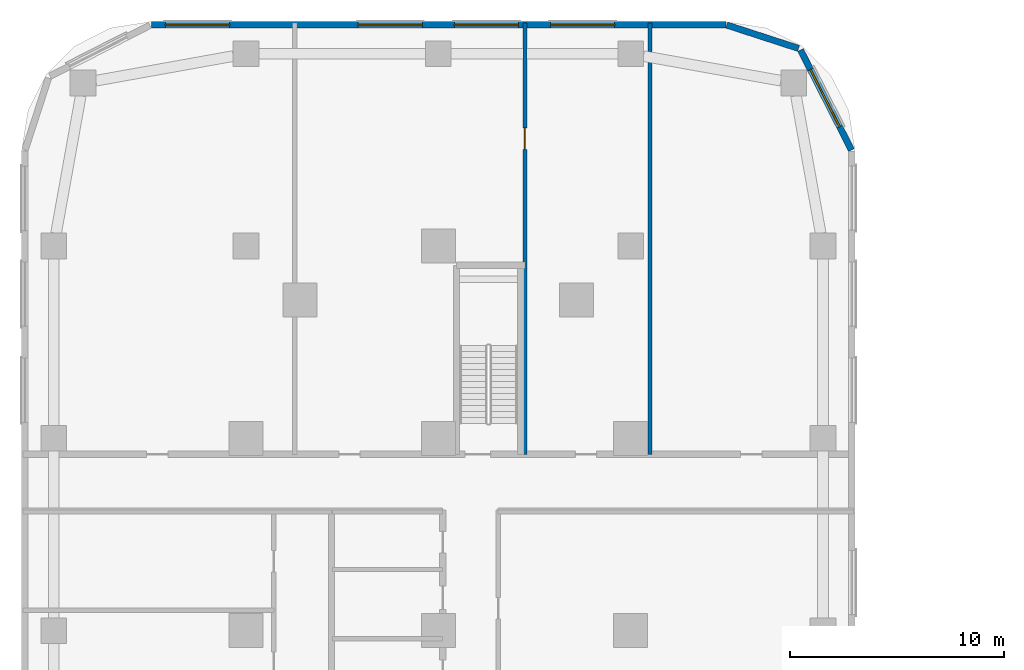
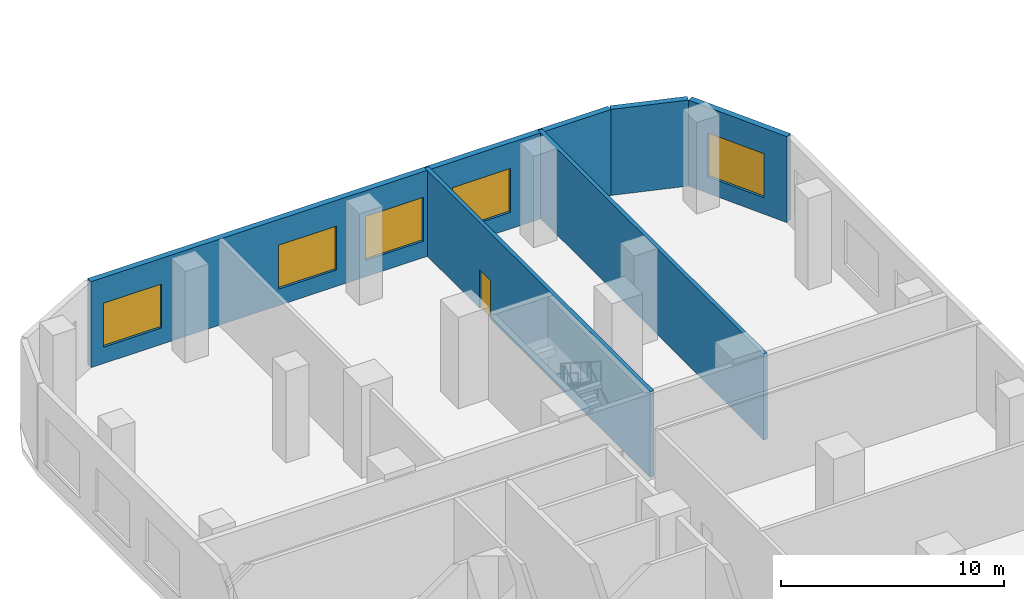
# One storey, part 15 of 35: 5 walls, 5 windows, 1 door, 6 openings.
"""IFC4 building model written with IfcOpenShell, lengths in metres."""

from ifc_helpers import new_model, si_unit, direction, frame, frame_2d, origin, place, context, subcontext, project, spatial, rectangle, extrude, material, layer, layer_set, type_object, element, fill, save


model = new_model("IFC4")

# Units and contexts
model_context = context("Model", 3, precision=1e-05, world=origin(), true_north=direction((0.0, 1.0)))
body_context = subcontext(model_context, "Body", "Model", "MODEL_VIEW")
ifc_project = project(units=[si_unit("LENGTHUNIT", "METRE"), si_unit("AREAUNIT", "SQUARE_METRE"), si_unit("VOLUMEUNIT", "CUBIC_METRE"), si_unit("PLANEANGLEUNIT", "RADIAN"), si_unit("MASSUNIT", "GRAM", prefix="KILO")], contexts=[model_context])

# Site, building, storey
site_placement = place(None, origin())
site = spatial("IfcSite", under=ifc_project, at=site_placement, CompositionType="ELEMENT")
building_placement = place(site_placement, origin())
building = spatial("IfcBuilding", under=site, at=building_placement, Name="Ogive Portal Towers", CompositionType="ELEMENT")
storey_placement = place(building_placement, frame((0.0, 0.0, 23.5)))
storey = spatial("IfcBuildingStorey", under=building, at=storey_placement, Name="L04", CompositionType="ELEMENT", Elevation=23.5)

# Wall, opening, window
ifc_material_1 = material(Name="Limestone cladding on lightweight block wall", Category="masonry")
ifc_layer_1 = layer(ifc_material_1, 0.300048828125)
ifc_layer_set_1 = layer_set([ifc_layer_1], Name="EXTERNAL WALL 300 STONE")
wall_type_1 = type_object("IfcWallType", Name="EXTERNAL WALL 300 STONE", PredefinedType="SOLIDWALL", material=ifc_layer_set_1)
wall_1_placement = place(storey_placement, frame((59.833740234375, 79.99609375, 0.0), z_axis=(0.0, 0.0, 1.0), x_axis=(-0.454006562826, 0.890998339455, 0.0)))
wall_1 = element("IfcWall", 1, at=wall_1_placement, inside=storey, type_object=wall_type_1, Name="A:L04:f12:w0", PredefinedType="SOLIDWALL", context=body_context, shape_type="SweptSolid", body=[
    extrude(rectangle(XDim=5.251708984375, YDim=0.300048828125, at=frame_2d((2.6259765625, 0.0))), origin(), (0.0, 0.0, 1.0), 4.699951171875),
])
opening_1_placement = place(wall_1_placement, frame((1.223876953125, 0.0, 0.89990234375)))
opening_1 = element("IfcOpeningElement", 2, at=opening_1_placement, cuts=wall_1, Name="Opening WN3", PredefinedType="OPENING", context=body_context, shape_type="SweptSolid", body=[
    extrude(rectangle(XDim=3.0, YDim=2.39990234375, at=frame_2d((1.5, 1.199951171875))), frame((0.0, 0.16015625, 0.0), z_axis=(0.0, -1.0, 0.0), x_axis=(1.0, 0.0, 0.0)), (0.0, 0.0, 1.0), 0.320068359375),
])
ifc_material_2 = material(Name="Glass, clear low-iron insulated glazing", Category="glass")
window_type = type_object("IfcWindowType", Name="WINDOW PODIUM 3000x2400", PartitioningType="SINGLE_PANEL", PredefinedType="WINDOW", material=ifc_material_2)
window_1_placement = place(opening_1_placement, origin())
window_1 = element("IfcWindow", 3, at=window_1_placement, inside=storey, type_object=window_type, Name="A:L04:f12:w0:o0", OverallHeight=2.39990234375, OverallWidth=3.0, PartitioningType="SINGLE_PANEL", PredefinedType="WINDOW", context=body_context, shape_type="SweptSolid", body=[
    extrude(rectangle(XDim=3.0, YDim=2.39990234375, at=frame_2d((1.5, 1.199951171875))), frame((0.0, 0.030029296875, 0.0), z_axis=(0.0, -1.0, 0.0), x_axis=(1.0, 0.0, 0.0)), (0.0, 0.0, 1.0), 0.06005859375),
])
fill(opening_1, window_1)

# Wall
wall_2_placement = place(storey_placement, frame((57.362060546875, 84.749755859375, 0.0), z_axis=(0.0, 0.0, 1.0), x_axis=(-0.951038127287, 0.309073584194, 0.0)))
element("IfcWall", 4, at=wall_2_placement, inside=storey, type_object=wall_type_1, Name="A:L04:f13:w0", PredefinedType="SOLIDWALL", context=body_context, shape_type="SweptSolid", body=[
    extrude(rectangle(XDim=3.536376953125, YDim=0.300048828125, at=frame_2d((1.76806640625, 0.0))), origin(), (0.0, 0.0, 1.0), 4.699951171875),
])

# Wall, openings, windows
wall_3_placement = place(storey_placement, frame((53.952392578125, 85.85009765625, 0.0), z_axis=(0.0, 0.0, 1.0), x_axis=(-1.0, 0.0, 0.0)))
wall_3 = element("IfcWall", 5, at=wall_3_placement, inside=storey, type_object=wall_type_1, Name="A:L04:f14:w0", PredefinedType="SOLIDWALL", context=body_context, shape_type="SweptSolid", body=[
    extrude(rectangle(XDim=26.88037109375, YDim=0.300048828125, at=frame_2d((13.440185546875, 0.0))), origin(), (0.0, 0.0, 1.0), 4.699951171875),
])
opening_2_placement = place(wall_3_placement, frame((5.202392578125, 0.0, 0.89990234375)))
opening_2 = element("IfcOpeningElement", 6, at=opening_2_placement, cuts=wall_3, Name="Opening WN3", PredefinedType="OPENING", context=body_context, shape_type="SweptSolid", body=[
    extrude(rectangle(XDim=3.0, YDim=2.39990234375, at=frame_2d((1.5, 1.199951171875))), frame((0.0, 0.16015625, 0.0), z_axis=(0.0, -1.0, 0.0), x_axis=(1.0, 0.0, 0.0)), (0.0, 0.0, 1.0), 0.320068359375),
])
opening_3_placement = place(wall_3_placement, frame((9.702392578125, 0.0, 0.89990234375)))
opening_3 = element("IfcOpeningElement", 7, at=opening_3_placement, cuts=wall_3, Name="Opening WN3", PredefinedType="OPENING", context=body_context, shape_type="SweptSolid", body=[
    extrude(rectangle(XDim=3.0, YDim=2.39990234375, at=frame_2d((1.5, 1.199951171875))), frame((0.0, 0.16015625, 0.0), z_axis=(0.0, -1.0, 0.0), x_axis=(1.0, 0.0, 0.0)), (0.0, 0.0, 1.0), 0.320068359375),
])
opening_4_placement = place(wall_3_placement, frame((14.202392578125, 0.0, 0.89990234375)))
opening_4 = element("IfcOpeningElement", 8, at=opening_4_placement, cuts=wall_3, Name="Opening WN3", PredefinedType="OPENING", context=body_context, shape_type="SweptSolid", body=[
    extrude(rectangle(XDim=3.0, YDim=2.39990234375, at=frame_2d((1.5, 1.199951171875))), frame((0.0, 0.16015625, 0.0), z_axis=(0.0, -1.0, 0.0), x_axis=(1.0, 0.0, 0.0)), (0.0, 0.0, 1.0), 0.320068359375),
])
opening_5_placement = place(wall_3_placement, frame((23.226318359375, 0.0, 0.89990234375)))
opening_5 = element("IfcOpeningElement", 9, at=opening_5_placement, cuts=wall_3, Name="Opening WN3", PredefinedType="OPENING", context=body_context, shape_type="SweptSolid", body=[
    extrude(rectangle(XDim=3.0, YDim=2.39990234375, at=frame_2d((1.5, 1.199951171875))), frame((0.0, 0.16015625, 0.0), z_axis=(0.0, -1.0, 0.0), x_axis=(1.0, 0.0, 0.0)), (0.0, 0.0, 1.0), 0.320068359375),
])
window_2_placement = place(opening_2_placement, origin())
window_2 = element("IfcWindow", 10, at=window_2_placement, inside=storey, type_object=window_type, Name="A:L04:f14:w0:o1a", OverallHeight=2.39990234375, OverallWidth=3.0, PartitioningType="SINGLE_PANEL", PredefinedType="WINDOW", context=body_context, shape_type="SweptSolid", body=[
    extrude(rectangle(XDim=3.0, YDim=2.39990234375, at=frame_2d((1.5, 1.199951171875))), frame((0.0, 0.030029296875, 0.0), z_axis=(0.0, -1.0, 0.0), x_axis=(1.0, 0.0, 0.0)), (0.0, 0.0, 1.0), 0.06005859375),
])
fill(opening_2, window_2)
window_3_placement = place(opening_3_placement, origin())
window_3 = element("IfcWindow", 11, at=window_3_placement, inside=storey, type_object=window_type, Name="A:L04:f14:w0:o1b", OverallHeight=2.39990234375, OverallWidth=3.0, PartitioningType="SINGLE_PANEL", PredefinedType="WINDOW", context=body_context, shape_type="SweptSolid", body=[
    extrude(rectangle(XDim=3.0, YDim=2.39990234375, at=frame_2d((1.5, 1.199951171875))), frame((0.0, 0.030029296875, 0.0), z_axis=(0.0, -1.0, 0.0), x_axis=(1.0, 0.0, 0.0)), (0.0, 0.0, 1.0), 0.06005859375),
])
fill(opening_3, window_3)
window_4_placement = place(opening_4_placement, origin())
window_4 = element("IfcWindow", 12, at=window_4_placement, inside=storey, type_object=window_type, Name="A:L04:f14:w0:o2a", OverallHeight=2.39990234375, OverallWidth=3.0, PartitioningType="SINGLE_PANEL", PredefinedType="WINDOW", context=body_context, shape_type="SweptSolid", body=[
    extrude(rectangle(XDim=3.0, YDim=2.39990234375, at=frame_2d((1.5, 1.199951171875))), frame((0.0, 0.030029296875, 0.0), z_axis=(0.0, -1.0, 0.0), x_axis=(1.0, 0.0, 0.0)), (0.0, 0.0, 1.0), 0.06005859375),
])
fill(opening_4, window_4)
window_5_placement = place(opening_5_placement, origin())
window_5 = element("IfcWindow", 13, at=window_5_placement, inside=storey, type_object=window_type, Name="A:L04:f14:w0:o3", OverallHeight=2.39990234375, OverallWidth=3.0, PartitioningType="SINGLE_PANEL", PredefinedType="WINDOW", context=body_context, shape_type="SweptSolid", body=[
    extrude(rectangle(XDim=3.0, YDim=2.39990234375, at=frame_2d((1.5, 1.199951171875))), frame((0.0, 0.030029296875, 0.0), z_axis=(0.0, -1.0, 0.0), x_axis=(1.0, 0.0, 0.0)), (0.0, 0.0, 1.0), 0.06005859375),
])
fill(opening_5, window_5)

# Wall, opening, door
ifc_material_3 = material(Name="Gypsum board partition on steel studs", Category="steel")
ifc_layer_2 = layer(ifc_material_3, 0.199951171875)
ifc_layer_set_2 = layer_set([ifc_layer_2], Name="WT-PART-200-EI 60")
wall_type_2 = type_object("IfcWallType", Name="WT-PART-200-EI 60", PredefinedType="PARTITIONING", material=ifc_layer_set_2)
wall_4_placement = place(storey_placement, frame((44.550048828125, 65.75, 0.0), z_axis=(0.0, 0.0, 1.0), x_axis=(0.0, 1.0, 0.0)))
wall_4 = element("IfcWall", 14, at=wall_4_placement, inside=storey, type_object=wall_type_2, Name="Wall L04:w089", PredefinedType="PARTITIONING", context=body_context, shape_type="SweptSolid", body=[
    extrude(rectangle(XDim=20.179931640625, YDim=0.199951171875, at=frame_2d((10.08984375, 0.0))), origin(), (0.0, 0.0, 1.0), 4.699951171875),
])
opening_6_placement = place(wall_4_placement, frame((14.280029296875, 0.0, 0.0)))
opening_6 = element("IfcOpeningElement", 15, at=opening_6_placement, cuts=wall_4, Name="Opening P04-008", PredefinedType="OPENING", context=body_context, shape_type="SweptSolid", body=[
    extrude(rectangle(XDim=1.0, YDim=2.10009765625, at=frame_2d((0.5, 1.050048828125))), frame((0.0, 0.10986328125, 0.0), z_axis=(0.0, -1.0, 0.0), x_axis=(1.0, 0.0, 0.0)), (0.0, 0.0, 1.0), 0.219970703125),
])
ifc_material_4 = material(Name="Steel fire door", Category="steel")
door_type = type_object("IfcDoorType", Name="DT-SWING-1000x2100-FD60S", OperationType="SINGLE_SWING_LEFT", PredefinedType="DOOR", material=ifc_material_4)
door_placement = place(opening_6_placement, origin())
door = element("IfcDoor", 16, at=door_placement, inside=storey, type_object=door_type, Name="Door P04-008", OperationType="SINGLE_SWING_RIGHT", OverallHeight=2.10009765625, OverallWidth=1.0, PredefinedType="DOOR", context=body_context, shape_type="SweptSolid", body=[
    extrude(rectangle(XDim=1.0, YDim=2.10009765625, at=frame_2d((0.5, 1.050048828125))), frame((0.0, 0.02490234375, 0.0), z_axis=(0.0, -1.0, 0.0), x_axis=(1.0, 0.0, 0.0)), (0.0, 0.0, 1.0), 0.050048828125),
])
fill(opening_6, door)

# Wall
wall_5_placement = place(storey_placement, frame((50.409912109375, 65.75, 0.0), z_axis=(0.0, 0.0, 1.0), x_axis=(0.0, 1.0, 0.0)))
element("IfcWall", 17, at=wall_5_placement, inside=storey, type_object=wall_type_2, Name="Wall L04:w090", PredefinedType="PARTITIONING", context=body_context, shape_type="SweptSolid", body=[
    extrude(rectangle(XDim=20.179931640625, YDim=0.199951171875, at=frame_2d((10.08984375, 0.0))), origin(), (0.0, 0.0, 1.0), 4.699951171875),
])

save(model, "model.ifc")
